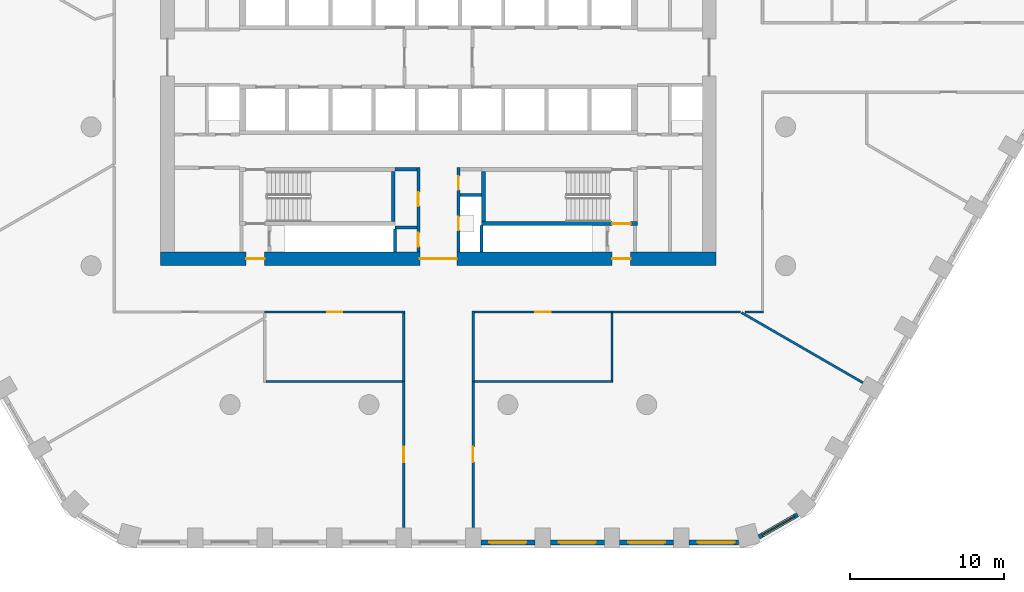
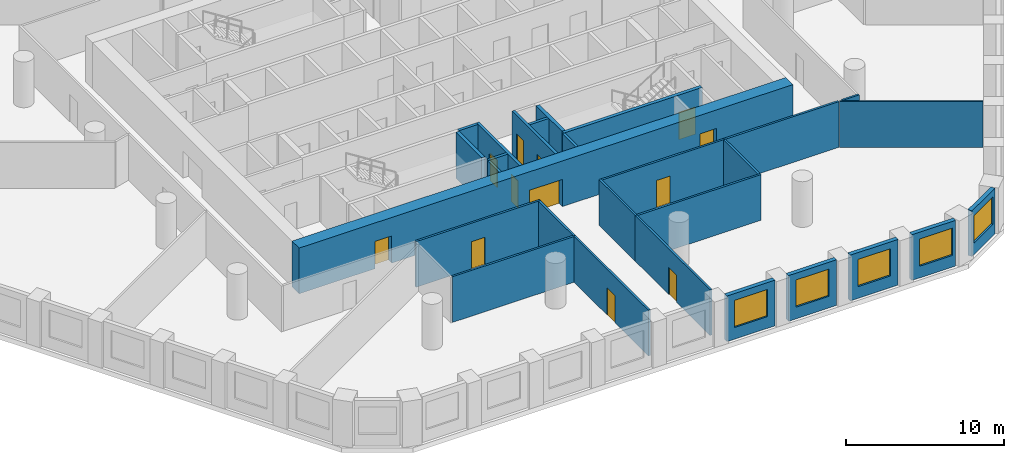
# One storey, part 3 of 10: 28 walls, 12 doors, 5 windows, 17 openings.
"""IFC4 building model written with IfcOpenShell, lengths in metres."""

from ifc_helpers import new_model, si_unit, direction, frame, frame_2d, origin, place, context, subcontext, project, spatial, rectangle, extrude, material, layer, layer_set, type_object, element, fill, save


model = new_model("IFC4")

# Units and contexts
model_context = context("Model", 3, precision=1e-05, world=origin(), true_north=direction((0.0, 1.0)))
body_context = subcontext(model_context, "Body", "Model", "MODEL_VIEW")
ifc_project = project(units=[si_unit("LENGTHUNIT", "METRE"), si_unit("AREAUNIT", "SQUARE_METRE"), si_unit("VOLUMEUNIT", "CUBIC_METRE"), si_unit("PLANEANGLEUNIT", "RADIAN"), si_unit("MASSUNIT", "GRAM", prefix="KILO")], contexts=[model_context])

# Site, building, storey
site_placement = place(None, origin())
site = spatial("IfcSite", under=ifc_project, at=site_placement, CompositionType="ELEMENT")
building_placement = place(site_placement, origin())
building = spatial("IfcBuilding", under=site, at=building_placement, Name="Dhurran Vertical Campus", CompositionType="ELEMENT")
storey_placement = place(building_placement, frame((0.0, 0.0, 89.10009765625)))
storey = spatial("IfcBuildingStorey", under=building, at=storey_placement, Name="L21", CompositionType="ELEMENT", Elevation=89.10009765625)

# Wall, opening, window
ifc_material_1 = material(Name="Precast concrete C50/60", Category="concrete")
ifc_layer_1 = layer(ifc_material_1, 0.300048828125)
ifc_layer_set_1 = layer_set([ifc_layer_1], Name="Precast concrete C50/60")
wall_type_1 = type_object("IfcWallType", Name="Precast spandrel wall 300", PredefinedType="SOLIDWALL", material=ifc_layer_set_1)
wall_1_placement = place(storey_placement, frame((2.75048828125, -31.4296875, 0.0), z_axis=(0.0, 0.0, 1.0), x_axis=(1.0, 0.0, 0.0)))
wall_1 = element("IfcWall", 1, at=wall_1_placement, inside=storey, type_object=wall_type_1, Name="EW1 L21.05", PredefinedType="SOLIDWALL", context=body_context, shape_type="SweptSolid", body=[
    extrude(rectangle(XDim=3.4990234375, YDim=0.300048828125, at=frame_2d((1.74951171875, 0.0))), origin(), (0.0, 0.0, 1.0), 3.52490234375),
])
opening_1_placement = place(wall_1_placement, frame((0.549560546875, 0.0, 0.89990234375)))
opening_1 = element("IfcOpeningElement", 2, at=opening_1_placement, cuts=wall_1, Name="Opening WT1", PredefinedType="OPENING", context=body_context, shape_type="SweptSolid", body=[
    extrude(rectangle(XDim=2.39990234375, YDim=2.10009765625, at=frame_2d((1.199951171875, 1.050048828125))), frame((0.0, 0.159912109375, 0.0), z_axis=(0.0, -1.0, 0.0), x_axis=(1.0, 0.0, 0.0)), (0.0, 0.0, 1.0), 0.320068359375),
])
ifc_material_2 = material(Name="Aluminium frame with solar-control glass", Category="aluminium")
window_type = type_object("IfcWindowType", Name="Punched window 2400 x 2100", PartitioningType="SINGLE_PANEL", PredefinedType="WINDOW", material=ifc_material_2)
window_1_placement = place(opening_1_placement, origin())
window_1 = element("IfcWindow", 3, at=window_1_placement, inside=storey, type_object=window_type, Name="WT1 L21.05", OverallHeight=2.10009765625, OverallWidth=2.39990234375, PartitioningType="SINGLE_PANEL", PredefinedType="WINDOW", context=body_context, shape_type="SweptSolid", body=[
    extrude(rectangle(XDim=2.39990234375, YDim=2.10009765625, at=frame_2d((1.199951171875, 1.050048828125))), frame((0.0, 0.030029296875, 0.0), z_axis=(0.0, -1.0, 0.0), x_axis=(1.0, 0.0, 0.0)), (0.0, 0.0, 1.0), 0.06005859375),
])
fill(opening_1, window_1)

wall_2_placement = place(storey_placement, frame((7.25048828125, -31.4296875, 0.0), z_axis=(0.0, 0.0, 1.0), x_axis=(1.0, 0.0, 0.0)))
wall_2 = element("IfcWall", 4, at=wall_2_placement, inside=storey, type_object=wall_type_1, Name="EW1 L21.06", PredefinedType="SOLIDWALL", context=body_context, shape_type="SweptSolid", body=[
    extrude(rectangle(XDim=3.4990234375, YDim=0.300048828125, at=frame_2d((1.74951171875, 0.0))), origin(), (0.0, 0.0, 1.0), 3.52490234375),
])
opening_2_placement = place(wall_2_placement, frame((0.549560546875, 0.0, 0.89990234375)))
opening_2 = element("IfcOpeningElement", 5, at=opening_2_placement, cuts=wall_2, Name="Opening WT1", PredefinedType="OPENING", context=body_context, shape_type="SweptSolid", body=[
    extrude(rectangle(XDim=2.39990234375, YDim=2.10009765625, at=frame_2d((1.199951171875, 1.050048828125))), frame((0.0, 0.159912109375, 0.0), z_axis=(0.0, -1.0, 0.0), x_axis=(1.0, 0.0, 0.0)), (0.0, 0.0, 1.0), 0.320068359375),
])
window_2_placement = place(opening_2_placement, origin())
window_2 = element("IfcWindow", 6, at=window_2_placement, inside=storey, type_object=window_type, Name="WT1 L21.06", OverallHeight=2.10009765625, OverallWidth=2.39990234375, PartitioningType="SINGLE_PANEL", PredefinedType="WINDOW", context=body_context, shape_type="SweptSolid", body=[
    extrude(rectangle(XDim=2.39990234375, YDim=2.10009765625, at=frame_2d((1.199951171875, 1.050048828125))), frame((0.0, 0.030029296875, 0.0), z_axis=(0.0, -1.0, 0.0), x_axis=(1.0, 0.0, 0.0)), (0.0, 0.0, 1.0), 0.06005859375),
])
fill(opening_2, window_2)

wall_3_placement = place(storey_placement, frame((11.75048828125, -31.4296875, 0.0), z_axis=(0.0, 0.0, 1.0), x_axis=(1.0, 0.0, 0.0)))
wall_3 = element("IfcWall", 7, at=wall_3_placement, inside=storey, type_object=wall_type_1, Name="EW1 L21.07", PredefinedType="SOLIDWALL", context=body_context, shape_type="SweptSolid", body=[
    extrude(rectangle(XDim=3.4990234375, YDim=0.300048828125, at=frame_2d((1.74951171875, 0.0))), origin(), (0.0, 0.0, 1.0), 3.52490234375),
])
opening_3_placement = place(wall_3_placement, frame((0.549560546875, 0.0, 0.89990234375)))
opening_3 = element("IfcOpeningElement", 8, at=opening_3_placement, cuts=wall_3, Name="Opening WT1", PredefinedType="OPENING", context=body_context, shape_type="SweptSolid", body=[
    extrude(rectangle(XDim=2.39990234375, YDim=2.10009765625, at=frame_2d((1.199951171875, 1.050048828125))), frame((0.0, 0.159912109375, 0.0), z_axis=(0.0, -1.0, 0.0), x_axis=(1.0, 0.0, 0.0)), (0.0, 0.0, 1.0), 0.320068359375),
])
window_3_placement = place(opening_3_placement, origin())
window_3 = element("IfcWindow", 9, at=window_3_placement, inside=storey, type_object=window_type, Name="WT1 L21.07", OverallHeight=2.10009765625, OverallWidth=2.39990234375, PartitioningType="SINGLE_PANEL", PredefinedType="WINDOW", context=body_context, shape_type="SweptSolid", body=[
    extrude(rectangle(XDim=2.39990234375, YDim=2.10009765625, at=frame_2d((1.199951171875, 1.050048828125))), frame((0.0, 0.030029296875, 0.0), z_axis=(0.0, -1.0, 0.0), x_axis=(1.0, 0.0, 0.0)), (0.0, 0.0, 1.0), 0.06005859375),
])
fill(opening_3, window_3)

wall_4_placement = place(storey_placement, frame((16.25048828125, -31.4296875, 0.0), z_axis=(0.0, 0.0, 1.0), x_axis=(1.0, 0.0, 0.0)))
wall_4 = element("IfcWall", 10, at=wall_4_placement, inside=storey, type_object=wall_type_1, Name="EW1 L21.08", PredefinedType="SOLIDWALL", context=body_context, shape_type="SweptSolid", body=[
    extrude(rectangle(XDim=3.1923828125, YDim=0.300048828125, at=frame_2d((1.59619140625, 0.0))), origin(), (0.0, 0.0, 1.0), 3.52490234375),
])
opening_4_placement = place(wall_4_placement, frame((0.549560546875, 0.0, 0.89990234375)))
opening_4 = element("IfcOpeningElement", 11, at=opening_4_placement, cuts=wall_4, Name="Opening WT1", PredefinedType="OPENING", context=body_context, shape_type="SweptSolid", body=[
    extrude(rectangle(XDim=2.39990234375, YDim=2.10009765625, at=frame_2d((1.199951171875, 1.050048828125))), frame((0.0, 0.159912109375, 0.0), z_axis=(0.0, -1.0, 0.0), x_axis=(1.0, 0.0, 0.0)), (0.0, 0.0, 1.0), 0.320068359375),
])
window_4_placement = place(opening_4_placement, origin())
window_4 = element("IfcWindow", 12, at=window_4_placement, inside=storey, type_object=window_type, Name="WT1 L21.08", OverallHeight=2.10009765625, OverallWidth=2.39990234375, PartitioningType="SINGLE_PANEL", PredefinedType="WINDOW", context=body_context, shape_type="SweptSolid", body=[
    extrude(rectangle(XDim=2.39990234375, YDim=2.10009765625, at=frame_2d((1.199951171875, 1.050048828125))), frame((0.0, 0.030029296875, 0.0), z_axis=(0.0, -1.0, 0.0), x_axis=(1.0, 0.0, 0.0)), (0.0, 0.0, 1.0), 0.06005859375),
])
fill(opening_4, window_4)

wall_5_placement = place(storey_placement, frame((20.774169921875, -31.072998046875, 0.0), z_axis=(0.0, 0.0, 1.0), x_axis=(0.866053149362, 0.49995194017, 0.0)))
wall_5 = element("IfcWall", 13, at=wall_5_placement, inside=storey, type_object=wall_type_1, Name="EW1 L21.09", PredefinedType="SOLIDWALL", context=body_context, shape_type="SweptSolid", body=[
    extrude(rectangle(XDim=2.885498046875, YDim=0.300048828125, at=frame_2d((1.44287109375, 0.0))), origin(), (0.0, 0.0, 1.0), 3.52490234375),
])
opening_5_placement = place(wall_5_placement, frame((0.242919921875, 0.0, 0.89990234375)))
opening_5 = element("IfcOpeningElement", 14, at=opening_5_placement, cuts=wall_5, Name="Opening WT1", PredefinedType="OPENING", context=body_context, shape_type="SweptSolid", body=[
    extrude(rectangle(XDim=2.39990234375, YDim=2.10009765625, at=frame_2d((1.199951171875, 1.050048828125))), frame((0.0, 0.159912109375, 0.0), z_axis=(0.0, -1.0, 0.0), x_axis=(1.0, 0.0, 0.0)), (0.0, 0.0, 1.0), 0.320068359375),
])
window_5_placement = place(opening_5_placement, origin())
window_5 = element("IfcWindow", 15, at=window_5_placement, inside=storey, type_object=window_type, Name="WT1 L21.09", OverallHeight=2.10009765625, OverallWidth=2.39990234375, PartitioningType="SINGLE_PANEL", PredefinedType="WINDOW", context=body_context, shape_type="SweptSolid", body=[
    extrude(rectangle(XDim=2.39990234375, YDim=2.10009765625, at=frame_2d((1.199951171875, 1.050048828125))), frame((0.0, 0.030029296875, 0.0), z_axis=(0.0, -1.0, 0.0), x_axis=(1.0, 0.0, 0.0)), (0.0, 0.0, 1.0), 0.06005859375),
])
fill(opening_5, window_5)

# Wall, openings, doors
ifc_material_3 = material(Name="Concrete C60/75", Category="concrete")
ifc_layer_2 = layer(ifc_material_3, 0.89990234375)
ifc_layer_set_2 = layer_set([ifc_layer_2], Name="Concrete C60/75")
wall_type_2 = type_object("IfcWallType", Name="co-CORE-WALL-C0-900", PredefinedType="SHEAR", material=ifc_layer_set_2)
wall_6_placement = place(storey_placement, frame((-18.0, -13.050048828125, 0.0), z_axis=(0.0, 0.0, 1.0), x_axis=(1.0, 0.0, 0.0)))
wall_6 = element("IfcWall", 16, at=wall_6_placement, inside=storey, type_object=wall_type_2, Name="Core wall S L21", PredefinedType="SHEAR", context=body_context, shape_type="SweptSolid", body=[
    extrude(rectangle(XDim=36.0, YDim=0.89990234375, at=frame_2d((18.0, 0.0))), origin(), (0.0, 0.0, 1.0), 3.52490234375),
])
opening_6_placement = place(wall_6_placement, frame((16.800048828125, 0.0, 0.0)))
opening_6 = element("IfcOpeningElement", 17, at=opening_6_placement, cuts=wall_6, Name="Opening CV2", PredefinedType="OPENING", context=body_context, shape_type="SweptSolid", body=[
    extrude(rectangle(XDim=2.39990234375, YDim=2.10009765625, at=frame_2d((1.199951171875, 1.050048828125))), frame((0.0, 0.4599609375, 0.0), z_axis=(0.0, -1.0, 0.0), x_axis=(1.0, 0.0, 0.0)), (0.0, 0.0, 1.0), 0.919921875),
])
opening_7_placement = place(wall_6_placement, frame((5.550048828125, 0.0, 0.0)))
opening_7 = element("IfcOpeningElement", 18, at=opening_7_placement, cuts=wall_6, Name="Opening XD3", PredefinedType="OPENING", context=body_context, shape_type="SweptSolid", body=[
    extrude(rectangle(XDim=1.199951171875, YDim=2.10009765625, at=frame_2d((0.60009765625, 1.050048828125))), frame((0.0, 0.4599609375, 0.0), z_axis=(0.0, -1.0, 0.0), x_axis=(1.0, 0.0, 0.0)), (0.0, 0.0, 1.0), 0.919921875),
])
opening_8_placement = place(wall_6_placement, frame((29.25, 0.0, 0.0)))
opening_8 = element("IfcOpeningElement", 19, at=opening_8_placement, cuts=wall_6, Name="Opening XD4", PredefinedType="OPENING", context=body_context, shape_type="SweptSolid", body=[
    extrude(rectangle(XDim=1.199951171875, YDim=2.10009765625, at=frame_2d((0.60009765625, 1.050048828125))), frame((0.0, 0.4599609375, 0.0), z_axis=(0.0, -1.0, 0.0), x_axis=(1.0, 0.0, 0.0)), (0.0, 0.0, 1.0), 0.919921875),
])
ifc_material_4 = material(Name="Fire-rated glazed door set")
door_type_1 = type_object("IfcDoorType", Name="co-D-LOBBY 2400x2100", OperationType="DOUBLE_DOOR_DOUBLE_SWING", PredefinedType="DOOR", material=ifc_material_4)
door_1_placement = place(opening_6_placement, origin())
door_1 = element("IfcDoor", 20, at=door_1_placement, inside=storey, type_object=door_type_1, Name="Core vestibule door S L21", OperationType="DOUBLE_DOOR_DOUBLE_SWING", OverallHeight=2.10009765625, OverallWidth=2.39990234375, PredefinedType="DOOR", context=body_context, shape_type="SweptSolid", body=[
    extrude(rectangle(XDim=2.39990234375, YDim=2.10009765625, at=frame_2d((1.199951171875, 1.050048828125))), frame((0.0, 0.02490234375, 0.0), z_axis=(0.0, -1.0, 0.0), x_axis=(1.0, 0.0, 0.0)), (0.0, 0.0, 1.0), 0.050048828125),
])
fill(opening_6, door_1)
ifc_material_5 = material(Name="Fire-rated steel door set", Category="steel")
door_type_2 = type_object("IfcDoorType", Name="co-D-STAIR-EXIT 1200x2100", OperationType="SINGLE_SWING_RIGHT", PredefinedType="DOOR", material=ifc_material_5)
door_2_placement = place(opening_7_placement, origin())
door_2 = element("IfcDoor", 21, at=door_2_placement, inside=storey, type_object=door_type_2, Name="Stair ST3 exit door L21", OperationType="SINGLE_SWING_RIGHT", OverallHeight=2.10009765625, OverallWidth=1.199951171875, PredefinedType="DOOR", context=body_context, shape_type="SweptSolid", body=[
    extrude(rectangle(XDim=1.199951171875, YDim=2.10009765625, at=frame_2d((0.60009765625, 1.050048828125))), frame((0.0, 0.02490234375, 0.0), z_axis=(0.0, -1.0, 0.0), x_axis=(1.0, 0.0, 0.0)), (0.0, 0.0, 1.0), 0.050048828125),
])
fill(opening_7, door_2)
door_3_placement = place(opening_8_placement, origin())
door_3 = element("IfcDoor", 22, at=door_3_placement, inside=storey, type_object=door_type_2, Name="Stair ST4 exit door L21", OperationType="SINGLE_SWING_RIGHT", OverallHeight=2.10009765625, OverallWidth=1.199951171875, PredefinedType="DOOR", context=body_context, shape_type="SweptSolid", body=[
    extrude(rectangle(XDim=1.199951171875, YDim=2.10009765625, at=frame_2d((0.60009765625, 1.050048828125))), frame((0.0, 0.02490234375, 0.0), z_axis=(0.0, -1.0, 0.0), x_axis=(1.0, 0.0, 0.0)), (0.0, 0.0, 1.0), 0.050048828125),
])
fill(opening_8, door_3)

# Walls
ifc_material_6 = material(Name="Fire-rated masonry blockwork", Category="masonry")
ifc_layer_3 = layer(ifc_material_6, 0.199951171875)
ifc_layer_set_3 = layer_set([ifc_layer_3], Name="Fire-rated masonry blockwork")
wall_type_3 = type_object("IfcWallType", Name="co-FIRE-PARTITION-200", PredefinedType="PARTITIONING", material=ifc_layer_set_3)
for number, where, z_axis, x_axis, name in (
    (23, (-2.800048828125, -7.25, 0.0), (0.0, 0.0, 1.0), (1.0, 0.0, 0.0), "Core partition sl-SW-S L21"),
    (24, (-2.800048828125, -11.02490234375, 0.0), (0.0, 0.0, 1.0), (1.0, 0.0, 0.0), "Core partition sl-SW-cut0 L21"),
    (25, (1.39990234375, -8.925048828125, 0.0), (0.0, 0.0, 1.0), (1.0, 0.0, 0.0), "Core partition sl-SE-cut0 L21"),
):
    element("IfcWall", number, at=place(storey_placement, frame(where, z_axis=z_axis, x_axis=x_axis)), inside=storey, type_object=wall_type_3, Name=name, PredefinedType="PARTITIONING", context=body_context, shape_type="SweptSolid", body=[
        extrude(rectangle(XDim=1.400146484375, YDim=0.199951171875, at=frame_2d((0.7001953125, 0.0))), origin(), (0.0, 0.0, 1.0), 3.52490234375),
    ])

# Wall, openings, doors
wall_7_placement = place(storey_placement, frame((-1.300048828125, -12.60009765625, 0.0), z_axis=(0.0, 0.0, 1.0), x_axis=(0.0, 1.0, 0.0)))
wall_7 = element("IfcWall", 26, at=wall_7_placement, inside=storey, type_object=wall_type_3, Name="Core partition vest-SW L21", PredefinedType="PARTITIONING", context=body_context, shape_type="SweptSolid", body=[
    extrude(rectangle(XDim=5.4501953125, YDim=0.199951171875, at=frame_2d((2.72509765625, 0.0))), origin(), (0.0, 0.0, 1.0), 3.52490234375),
])
opening_9_placement = place(wall_7_placement, frame((0.33740234375, 0.0, 0.0)))
opening_9 = element("IfcOpeningElement", 27, at=opening_9_placement, cuts=wall_7, Name="Opening T05-C1", PredefinedType="OPENING", context=body_context, shape_type="SweptSolid", body=[
    extrude(rectangle(XDim=0.89990234375, YDim=2.10009765625, at=frame_2d((0.449951171875, 1.050048828125))), frame((0.0, 0.10986328125, 0.0), z_axis=(0.0, -1.0, 0.0), x_axis=(1.0, 0.0, 0.0)), (0.0, 0.0, 1.0), 0.219970703125),
])
opening_10_placement = place(wall_7_placement, frame((2.96240234375, 0.0, 0.0)))
opening_10 = element("IfcOpeningElement", 28, at=opening_10_placement, cuts=wall_7, Name="Opening T05-C2", PredefinedType="OPENING", context=body_context, shape_type="SweptSolid", body=[
    extrude(rectangle(XDim=0.89990234375, YDim=2.10009765625, at=frame_2d((0.449951171875, 1.050048828125))), frame((0.0, 0.10986328125, 0.0), z_axis=(0.0, -1.0, 0.0), x_axis=(1.0, 0.0, 0.0)), (0.0, 0.0, 1.0), 0.219970703125),
])
ifc_material_7 = material(Name="Fire-rated timber door set", Category="wood")
door_type_3 = type_object("IfcDoorType", Name="co-D-ROOM 900x2100", OperationType="SINGLE_SWING_LEFT", PredefinedType="DOOR", material=ifc_material_7)
door_4_placement = place(opening_9_placement, origin())
door_4 = element("IfcDoor", 29, at=door_4_placement, inside=storey, type_object=door_type_3, Name="Fire equipment store door L21", OperationType="SINGLE_SWING_LEFT", OverallHeight=2.10009765625, OverallWidth=0.89990234375, PredefinedType="DOOR", context=body_context, shape_type="SweptSolid", body=[
    extrude(rectangle(XDim=0.89990234375, YDim=2.10009765625, at=frame_2d((0.449951171875, 1.050048828125))), frame((0.0, 0.02490234375, 0.0), z_axis=(0.0, -1.0, 0.0), x_axis=(1.0, 0.0, 0.0)), (0.0, 0.0, 1.0), 0.050048828125),
])
fill(opening_9, door_4)
door_5_placement = place(opening_10_placement, origin())
door_5 = element("IfcDoor", 30, at=door_5_placement, inside=storey, type_object=door_type_3, Name="Server room door L21", OperationType="SINGLE_SWING_LEFT", OverallHeight=2.10009765625, OverallWidth=0.89990234375, PredefinedType="DOOR", context=body_context, shape_type="SweptSolid", body=[
    extrude(rectangle(XDim=0.89990234375, YDim=2.10009765625, at=frame_2d((0.449951171875, 1.050048828125))), frame((0.0, 0.02490234375, 0.0), z_axis=(0.0, -1.0, 0.0), x_axis=(1.0, 0.0, 0.0)), (0.0, 0.0, 1.0), 0.050048828125),
])
fill(opening_10, door_5)

wall_8_placement = place(storey_placement, frame((1.300048828125, -12.60009765625, 0.0), z_axis=(0.0, 0.0, 1.0), x_axis=(0.0, 1.0, 0.0)))
wall_8 = element("IfcWall", 31, at=wall_8_placement, inside=storey, type_object=wall_type_3, Name="Core partition vest-SE L21", PredefinedType="PARTITIONING", context=body_context, shape_type="SweptSolid", body=[
    extrude(rectangle(XDim=5.4501953125, YDim=0.199951171875, at=frame_2d((2.72509765625, 0.0))), origin(), (0.0, 0.0, 1.0), 3.52490234375),
])
opening_11_placement = place(wall_8_placement, frame((1.387451171875, 0.0, 0.0)))
opening_11 = element("IfcOpeningElement", 32, at=opening_11_placement, cuts=wall_8, Name="Opening T05-C3", PredefinedType="OPENING", context=body_context, shape_type="SweptSolid", body=[
    extrude(rectangle(XDim=0.89990234375, YDim=2.10009765625, at=frame_2d((0.449951171875, 1.050048828125))), frame((0.0, 0.10986328125, 0.0), z_axis=(0.0, -1.0, 0.0), x_axis=(1.0, 0.0, 0.0)), (0.0, 0.0, 1.0), 0.219970703125),
])
opening_12_placement = place(wall_8_placement, frame((4.012451171875, 0.0, 0.0)))
opening_12 = element("IfcOpeningElement", 33, at=opening_12_placement, cuts=wall_8, Name="Opening T05-C4", PredefinedType="OPENING", context=body_context, shape_type="SweptSolid", body=[
    extrude(rectangle(XDim=0.89990234375, YDim=2.10009765625, at=frame_2d((0.449951171875, 1.050048828125))), frame((0.0, 0.10986328125, 0.0), z_axis=(0.0, -1.0, 0.0), x_axis=(1.0, 0.0, 0.0)), (0.0, 0.0, 1.0), 0.219970703125),
])
door_6_placement = place(opening_11_placement, origin())
door_6 = element("IfcDoor", 34, at=door_6_placement, inside=storey, type_object=door_type_3, Name="Water riser door L21", OperationType="SINGLE_SWING_LEFT", OverallHeight=2.10009765625, OverallWidth=0.89990234375, PredefinedType="DOOR", context=body_context, shape_type="SweptSolid", body=[
    extrude(rectangle(XDim=0.89990234375, YDim=2.10009765625, at=frame_2d((0.449951171875, 1.050048828125))), frame((0.0, 0.02490234375, 0.0), z_axis=(0.0, -1.0, 0.0), x_axis=(1.0, 0.0, 0.0)), (0.0, 0.0, 1.0), 0.050048828125),
])
fill(opening_11, door_6)
door_7_placement = place(opening_12_placement, origin())
door_7 = element("IfcDoor", 35, at=door_7_placement, inside=storey, type_object=door_type_3, Name="Communications room door L21", OperationType="SINGLE_SWING_LEFT", OverallHeight=2.10009765625, OverallWidth=0.89990234375, PredefinedType="DOOR", context=body_context, shape_type="SweptSolid", body=[
    extrude(rectangle(XDim=0.89990234375, YDim=2.10009765625, at=frame_2d((0.449951171875, 1.050048828125))), frame((0.0, 0.02490234375, 0.0), z_axis=(0.0, -1.0, 0.0), x_axis=(1.0, 0.0, 0.0)), (0.0, 0.0, 1.0), 0.050048828125),
])
fill(opening_12, door_7)

# Walls
wall_9_placement = place(storey_placement, frame((-2.800048828125, -12.59912109375, 0.0), z_axis=(0.0, 0.0, 1.0), x_axis=(0.0, 1.0, 0.0)))
element("IfcWall", 36, at=wall_9_placement, inside=storey, type_object=wall_type_3, Name="Riser enclosure wall L21", PredefinedType="PARTITIONING", context=body_context, shape_type="SweptSolid", body=[
    extrude(rectangle(XDim=1.47314453125, YDim=0.199951171875, at=frame_2d((0.736572265625, 0.0))), origin(), (0.0, 0.0, 1.0), 3.52490234375),
])
wall_10_placement = place(storey_placement, frame((2.800048828125, -12.59912109375, 0.0), z_axis=(0.0, 0.0, 1.0), x_axis=(0.0, 1.0, 0.0)))
element("IfcWall", 37, at=wall_10_placement, inside=storey, type_object=wall_type_3, Name="Riser enclosure wall L21", PredefinedType="PARTITIONING", context=body_context, shape_type="SweptSolid", body=[
    extrude(rectangle(XDim=1.6982421875, YDim=0.199951171875, at=frame_2d((0.84912109375, 0.0))), origin(), (0.0, 0.0, 1.0), 3.52490234375),
])
ifc_material_8 = material(Name="Concrete C40/50", Category="concrete")
ifc_layer_4 = layer(ifc_material_8, 0.25)
ifc_layer_set_4 = layer_set([ifc_layer_4], Name="Concrete C40/50")
wall_type_4 = type_object("IfcWallType", Name="co-STAIR-WALL-250", PredefinedType="SHEAR", material=ifc_layer_set_4)
wall_11_placement = place(storey_placement, frame((-2.925048828125, -10.64990234375, 0.0), z_axis=(0.0, 0.0, 1.0), x_axis=(0.0, 1.0, 0.0)))
element("IfcWall", 38, at=wall_11_placement, inside=storey, type_object=wall_type_4, Name="Stair ST3 enclosure wall L21", PredefinedType="SHEAR", context=body_context, shape_type="SweptSolid", body=[
    extrude(rectangle(XDim=3.25, YDim=0.25, at=frame_2d((1.625, 0.0))), origin(), (0.0, 0.0, 1.0), 3.52490234375),
])

# Wall, opening, door
wall_12_placement = place(storey_placement, frame((2.800048828125, -10.77490234375, 0.0), z_axis=(0.0, 0.0, 1.0), x_axis=(1.0, 0.0, 0.0)))
wall_12 = element("IfcWall", 39, at=wall_12_placement, inside=storey, type_object=wall_type_4, Name="Stair ST4 enclosure wall L21", PredefinedType="SHEAR", context=body_context, shape_type="SweptSolid", body=[
    extrude(rectangle(XDim=10.099853515625, YDim=0.25, at=frame_2d((5.0498046875, 0.0))), origin(), (0.0, 0.0, 1.0), 3.52490234375),
])
opening_13_placement = place(wall_12_placement, frame((8.449951171875, 0.0, 0.0)))
opening_13 = element("IfcOpeningElement", 40, at=opening_13_placement, cuts=wall_12, Name="Opening XS4", PredefinedType="OPENING", context=body_context, shape_type="SweptSolid", body=[
    extrude(rectangle(XDim=1.199951171875, YDim=2.10009765625, at=frame_2d((0.60009765625, 1.050048828125))), frame((0.0, 0.135009765625, 0.0), z_axis=(0.0, -1.0, 0.0), x_axis=(1.0, 0.0, 0.0)), (0.0, 0.0, 1.0), 0.27001953125),
])
door_8_placement = place(opening_13_placement, origin())
door_8 = element("IfcDoor", 41, at=door_8_placement, inside=storey, type_object=door_type_2, Name="Stair ST4 discharge door L21", OperationType="SINGLE_SWING_RIGHT", OverallHeight=2.10009765625, OverallWidth=1.199951171875, PredefinedType="DOOR", context=body_context, shape_type="SweptSolid", body=[
    extrude(rectangle(XDim=1.199951171875, YDim=2.10009765625, at=frame_2d((0.60009765625, 1.050048828125))), frame((0.0, 0.02490234375, 0.0), z_axis=(0.0, -1.0, 0.0), x_axis=(1.0, 0.0, 0.0)), (0.0, 0.0, 1.0), 0.050048828125),
])
fill(opening_13, door_8)

# Wall
wall_13_placement = place(storey_placement, frame((2.925048828125, -10.64990234375, 0.0), z_axis=(0.0, 0.0, 1.0), x_axis=(0.0, 1.0, 0.0)))
element("IfcWall", 42, at=wall_13_placement, inside=storey, type_object=wall_type_4, Name="Stair ST4 enclosure wall L21", PredefinedType="SHEAR", context=body_context, shape_type="SweptSolid", body=[
    extrude(rectangle(XDim=3.25, YDim=0.25, at=frame_2d((1.625, 0.0))), origin(), (0.0, 0.0, 1.0), 3.52490234375),
])

# Wall, opening, door
ifc_material_9 = material(Name="Gypsum board corridor wall on steel studs", Category="steel")
ifc_layer_5 = layer(ifc_material_9, 0.14990234375)
ifc_layer_set_5 = layer_set([ifc_layer_5], Name="Gypsum board corridor wall on steel studs")
wall_type_5 = type_object("IfcWallType", Name="fl-CW-150 corridor wall", PredefinedType="PARTITIONING", material=ifc_layer_set_5)
wall_14_placement = place(storey_placement, frame((-11.25, -16.5, 0.0), z_axis=(0.0, 0.0, 1.0), x_axis=(1.0, 0.0, 0.0)))
wall_14 = element("IfcWall", 43, at=wall_14_placement, inside=storey, type_object=wall_type_5, Name="Partition 21-14", PredefinedType="PARTITIONING", context=body_context, shape_type="SweptSolid", body=[
    extrude(rectangle(XDim=9.074951171875, YDim=0.14990234375, at=frame_2d((4.53759765625, 0.0))), origin(), (0.0, 0.0, 1.0), 3.52490234375),
])
opening_14_placement = place(wall_14_placement, frame((4.03759765625, 0.0, 0.0)))
opening_14 = element("IfcOpeningElement", 44, at=opening_14_placement, cuts=wall_14, Name="Opening T05.06", PredefinedType="OPENING", context=body_context, shape_type="SweptSolid", body=[
    extrude(rectangle(XDim=1.0, YDim=2.10009765625, at=frame_2d((0.5, 1.050048828125))), frame((0.0, 0.0849609375, 0.0), z_axis=(0.0, -1.0, 0.0), x_axis=(1.0, 0.0, 0.0)), (0.0, 0.0, 1.0), 0.169921875),
])
ifc_material_10 = material(Name="Solid-core timber door set, fire-rated", Category="wood")
door_type_4 = type_object("IfcDoorType", Name="fl-D-1000x2100", OperationType="SINGLE_SWING_LEFT", PredefinedType="DOOR", material=ifc_material_10)
door_9_placement = place(opening_14_placement, origin())
door_9 = element("IfcDoor", 45, at=door_9_placement, inside=storey, type_object=door_type_4, Name="Door 21.06", OperationType="SINGLE_SWING_RIGHT", OverallHeight=2.10009765625, OverallWidth=1.0, PredefinedType="DOOR", context=body_context, shape_type="SweptSolid", body=[
    extrude(rectangle(XDim=1.0, YDim=2.10009765625, at=frame_2d((0.5, 1.050048828125))), frame((0.0, 0.02490234375, 0.0), z_axis=(0.0, -1.0, 0.0), x_axis=(1.0, 0.0, 0.0)), (0.0, 0.0, 1.0), 0.050048828125),
])
fill(opening_14, door_9)

wall_15_placement = place(storey_placement, frame((-2.25, -30.459716796875, 0.0), z_axis=(0.0, 0.0, 1.0), x_axis=(0.0, 1.0, 0.0)))
wall_15 = element("IfcWall", 46, at=wall_15_placement, inside=storey, type_object=wall_type_5, Name="Partition 21-19", PredefinedType="PARTITIONING", context=body_context, shape_type="SweptSolid", body=[
    extrude(rectangle(XDim=9.459716796875, YDim=0.14990234375, at=frame_2d((4.72998046875, 0.0))), origin(), (0.0, 0.0, 1.0), 3.52490234375),
])
opening_15_placement = place(wall_15_placement, frame((4.22998046875, 0.0, 0.0)))
opening_15 = element("IfcOpeningElement", 47, at=opening_15_placement, cuts=wall_15, Name="Opening T05.04", PredefinedType="OPENING", context=body_context, shape_type="SweptSolid", body=[
    extrude(rectangle(XDim=1.0, YDim=2.10009765625, at=frame_2d((0.5, 1.050048828125))), frame((0.0, 0.0849609375, 0.0), z_axis=(0.0, -1.0, 0.0), x_axis=(1.0, 0.0, 0.0)), (0.0, 0.0, 1.0), 0.169921875),
])
door_10_placement = place(opening_15_placement, origin())
door_10 = element("IfcDoor", 48, at=door_10_placement, inside=storey, type_object=door_type_4, Name="Door 21.04", OperationType="SINGLE_SWING_RIGHT", OverallHeight=2.10009765625, OverallWidth=1.0, PredefinedType="DOOR", context=body_context, shape_type="SweptSolid", body=[
    extrude(rectangle(XDim=1.0, YDim=2.10009765625, at=frame_2d((0.5, 1.050048828125))), frame((0.0, 0.02490234375, 0.0), z_axis=(0.0, -1.0, 0.0), x_axis=(1.0, 0.0, 0.0)), (0.0, 0.0, 1.0), 0.050048828125),
])
fill(opening_15, door_10)

# Wall
wall_16_placement = place(storey_placement, frame((-2.25, -21.0, 0.0), z_axis=(0.0, 0.0, 1.0), x_axis=(0.0, 1.0, 0.0)))
element("IfcWall", 49, at=wall_16_placement, inside=storey, type_object=wall_type_5, Name="Partition 21-20", PredefinedType="PARTITIONING", context=body_context, shape_type="SweptSolid", body=[
    extrude(rectangle(XDim=4.425048828125, YDim=0.14990234375, at=frame_2d((2.21240234375, 0.0))), origin(), (0.0, 0.0, 1.0), 3.52490234375),
])

# Wall, opening, door
wall_17_placement = place(storey_placement, frame((2.25, -21.0, 0.0), z_axis=(0.0, 0.0, 1.0), x_axis=(0.0, -1.0, 0.0)))
wall_17 = element("IfcWall", 50, at=wall_17_placement, inside=storey, type_object=wall_type_5, Name="Partition 21-23", PredefinedType="PARTITIONING", context=body_context, shape_type="SweptSolid", body=[
    extrude(rectangle(XDim=9.459716796875, YDim=0.14990234375, at=frame_2d((4.72998046875, 0.0))), origin(), (0.0, 0.0, 1.0), 3.52490234375),
])
opening_16_placement = place(wall_17_placement, frame((4.22998046875, 0.0, 0.0)))
opening_16 = element("IfcOpeningElement", 51, at=opening_16_placement, cuts=wall_17, Name="Opening T05.10", PredefinedType="OPENING", context=body_context, shape_type="SweptSolid", body=[
    extrude(rectangle(XDim=1.0, YDim=2.10009765625, at=frame_2d((0.5, 1.050048828125))), frame((0.0, 0.0849609375, 0.0), z_axis=(0.0, -1.0, 0.0), x_axis=(1.0, 0.0, 0.0)), (0.0, 0.0, 1.0), 0.169921875),
])
door_11_placement = place(opening_16_placement, origin())
door_11 = element("IfcDoor", 52, at=door_11_placement, inside=storey, type_object=door_type_4, Name="Door 21.10", OperationType="SINGLE_SWING_LEFT", OverallHeight=2.10009765625, OverallWidth=1.0, PredefinedType="DOOR", context=body_context, shape_type="SweptSolid", body=[
    extrude(rectangle(XDim=1.0, YDim=2.10009765625, at=frame_2d((0.5, 1.050048828125))), frame((0.0, 0.02490234375, 0.0), z_axis=(0.0, -1.0, 0.0), x_axis=(1.0, 0.0, 0.0)), (0.0, 0.0, 1.0), 0.050048828125),
])
fill(opening_16, door_11)

# Wall
wall_18_placement = place(storey_placement, frame((2.25, -16.425048828125, 0.0), z_axis=(0.0, 0.0, 1.0), x_axis=(0.0, -1.0, 0.0)))
element("IfcWall", 53, at=wall_18_placement, inside=storey, type_object=wall_type_5, Name="Partition 21-24", PredefinedType="PARTITIONING", context=body_context, shape_type="SweptSolid", body=[
    extrude(rectangle(XDim=4.574951171875, YDim=0.14990234375, at=frame_2d((2.28759765625, 0.0))), origin(), (0.0, 0.0, 1.0), 3.52490234375),
])

# Wall, opening, door
wall_19_placement = place(storey_placement, frame((2.324951171875, -16.5, 0.0), z_axis=(0.0, 0.0, 1.0), x_axis=(1.0, 0.0, 0.0)))
wall_19 = element("IfcWall", 54, at=wall_19_placement, inside=storey, type_object=wall_type_5, Name="Partition 21-26", PredefinedType="PARTITIONING", context=body_context, shape_type="SweptSolid", body=[
    extrude(rectangle(XDim=8.925048828125, YDim=0.14990234375, at=frame_2d((4.46240234375, 0.0))), origin(), (0.0, 0.0, 1.0), 3.52490234375),
])
opening_17_placement = place(wall_19_placement, frame((3.96240234375, 0.0, 0.0)))
opening_17 = element("IfcOpeningElement", 55, at=opening_17_placement, cuts=wall_19, Name="Opening T05.08", PredefinedType="OPENING", context=body_context, shape_type="SweptSolid", body=[
    extrude(rectangle(XDim=1.0, YDim=2.10009765625, at=frame_2d((0.5, 1.050048828125))), frame((0.0, 0.0849609375, 0.0), z_axis=(0.0, -1.0, 0.0), x_axis=(1.0, 0.0, 0.0)), (0.0, 0.0, 1.0), 0.169921875),
])
door_12_placement = place(opening_17_placement, origin())
door_12 = element("IfcDoor", 56, at=door_12_placement, inside=storey, type_object=door_type_4, Name="Door 21.08", OperationType="SINGLE_SWING_LEFT", OverallHeight=2.10009765625, OverallWidth=1.0, PredefinedType="DOOR", context=body_context, shape_type="SweptSolid", body=[
    extrude(rectangle(XDim=1.0, YDim=2.10009765625, at=frame_2d((0.5, 1.050048828125))), frame((0.0, 0.02490234375, 0.0), z_axis=(0.0, -1.0, 0.0), x_axis=(1.0, 0.0, 0.0)), (0.0, 0.0, 1.0), 0.050048828125),
])
fill(opening_17, door_12)

# Walls
wall_20_placement = place(storey_placement, frame((11.25, -16.5, 0.0), z_axis=(0.0, 0.0, 1.0), x_axis=(1.0, 0.0, 0.0)))
element("IfcWall", 57, at=wall_20_placement, inside=storey, type_object=wall_type_5, Name="Partition 21-32", PredefinedType="PARTITIONING", context=body_context, shape_type="SweptSolid", body=[
    extrude(rectangle(XDim=8.3291015625, YDim=0.14990234375, at=frame_2d((4.16455078125, 0.0))), origin(), (0.0, 0.0, 1.0), 3.52490234375),
])
wall_21_placement = place(storey_placement, frame((19.85400390625, -16.5, 0.0), z_axis=(0.0, 0.0, 1.0), x_axis=(1.0, 0.0, 0.0)))
element("IfcWall", 58, at=wall_21_placement, inside=storey, type_object=wall_type_5, Name="Partition 21-35", PredefinedType="PARTITIONING", context=body_context, shape_type="SweptSolid", body=[
    extrude(rectangle(XDim=1.220947265625, YDim=0.14990234375, at=frame_2d((0.6103515625, 0.0))), origin(), (0.0, 0.0, 1.0), 3.52490234375),
])
ifc_material_11 = material(Name="Gypsum board partition on steel studs", Category="steel")
ifc_layer_6 = layer(ifc_material_11, 0.14990234375)
ifc_layer_set_6 = layer_set([ifc_layer_6], Name="Gypsum board partition on steel studs")
wall_type_6 = type_object("IfcWallType", Name="fl-PW-150 fixed partition", PredefinedType="PARTITIONING", material=ifc_layer_set_6)
wall_22_placement = place(storey_placement, frame((-11.175048828125, -21.0, 0.0), z_axis=(0.0, 0.0, 1.0), x_axis=(1.0, 0.0, 0.0)))
element("IfcWall", 59, at=wall_22_placement, inside=storey, type_object=wall_type_6, Name="Partition 21-12", PredefinedType="PARTITIONING", context=body_context, shape_type="SweptSolid", body=[
    extrude(rectangle(XDim=8.85009765625, YDim=0.14990234375, at=frame_2d((4.425048828125, 0.0))), origin(), (0.0, 0.0, 1.0), 3.52490234375),
])
wall_23_placement = place(storey_placement, frame((11.324951171875, -21.0, 0.0), z_axis=(0.0, 0.0, 1.0), x_axis=(-1.0, 0.0, 0.0)))
element("IfcWall", 60, at=wall_23_placement, inside=storey, type_object=wall_type_6, Name="Partition 21-25", PredefinedType="PARTITIONING", context=body_context, shape_type="SweptSolid", body=[
    extrude(rectangle(XDim=9.0, YDim=0.14990234375, at=frame_2d((4.5, 0.0))), origin(), (0.0, 0.0, 1.0), 3.52490234375),
])
wall_24_placement = place(storey_placement, frame((11.25, -16.574951171875, 0.0), z_axis=(0.0, 0.0, 1.0), x_axis=(0.0, -1.0, 0.0)))
element("IfcWall", 61, at=wall_24_placement, inside=storey, type_object=wall_type_6, Name="Partition 21-31", PredefinedType="PARTITIONING", context=body_context, shape_type="SweptSolid", body=[
    extrude(rectangle(XDim=4.35009765625, YDim=0.14990234375, at=frame_2d((2.175048828125, 0.0))), origin(), (0.0, 0.0, 1.0), 3.52490234375),
])
wall_25_placement = place(storey_placement, frame((19.643798828125, -16.53759765625, 0.0), z_axis=(0.0, 0.0, 1.0), x_axis=(0.866004606565, -0.500036020111, 0.0)))
element("IfcWall", 62, at=wall_25_placement, inside=storey, type_object=wall_type_6, Name="Partition 21-36", PredefinedType="PARTITIONING", context=body_context, shape_type="SweptSolid", body=[
    extrude(rectangle(XDim=9.075927734375, YDim=0.14990234375, at=frame_2d((4.5380859375, 0.0))), origin(), (0.0, 0.0, 1.0), 3.52490234375),
])

save(model, "model.ifc")
